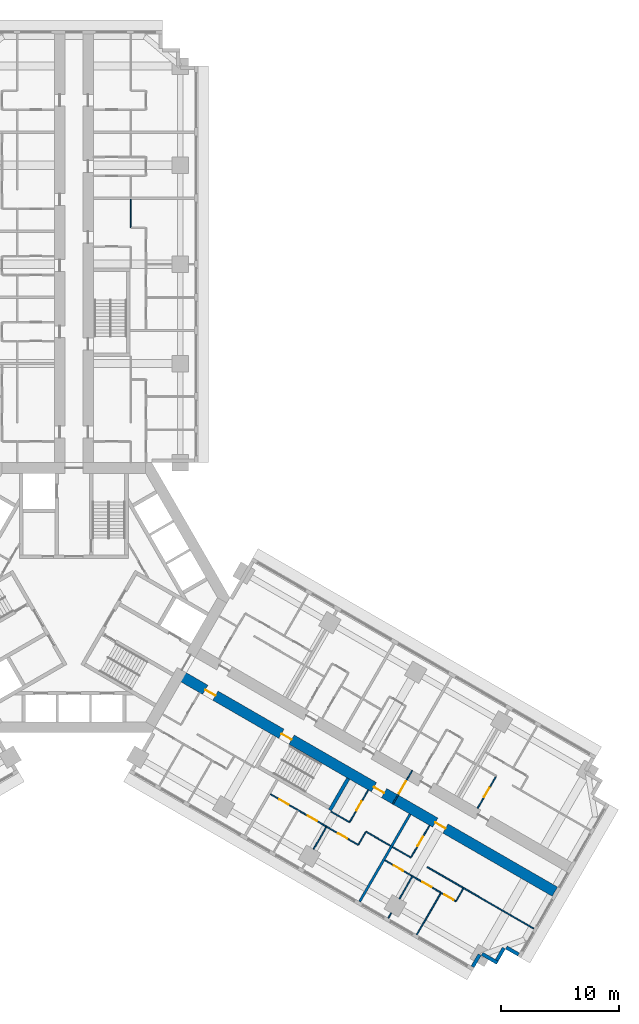
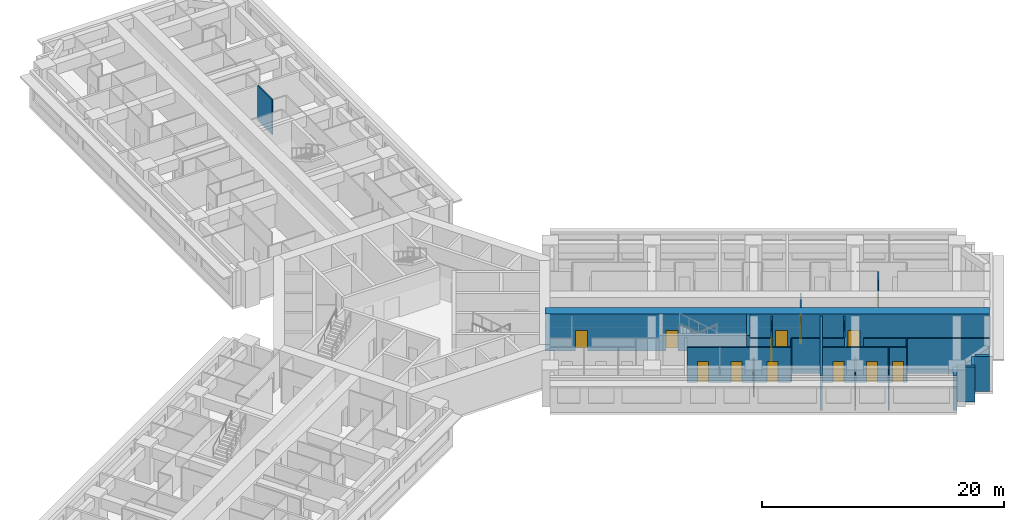
# One storey, part 11 of 16: 24 walls, 14 doors, 14 openings.
"""IFC4 building model written with IfcOpenShell, lengths in metres."""

from ifc_helpers import new_model, si_unit, direction, frame, frame_2d, origin, place, context, subcontext, project, spatial, rectangle, extrude, material, layer, layer_set, type_object, element, fill, save


model = new_model("IFC4")

# Units and contexts
model_context = context("Model", 3, precision=1e-05, world=origin(), true_north=direction((0.0, 1.0)))
body_context = subcontext(model_context, "Body", "Model", "MODEL_VIEW")
ifc_project = project(units=[si_unit("LENGTHUNIT", "METRE"), si_unit("AREAUNIT", "SQUARE_METRE"), si_unit("VOLUMEUNIT", "CUBIC_METRE"), si_unit("PLANEANGLEUNIT", "RADIAN"), si_unit("MASSUNIT", "GRAM", prefix="KILO")], contexts=[model_context])

# Site, building, storey
site_placement = place(None, origin())
site = spatial("IfcSite", under=ifc_project, at=site_placement, CompositionType="ELEMENT")
building_placement = place(site_placement, origin())
building = spatial("IfcBuilding", under=site, at=building_placement, Name="Impinga Residences", CompositionType="ELEMENT")
storey_placement = place(building_placement, frame((0.0, 0.0, 63.5)))
storey = spatial("IfcBuildingStorey", under=building, at=storey_placement, Name="L15", CompositionType="ELEMENT", Elevation=63.5)

# Wall, openings, doors
ifc_material_1 = material(Name="Concrete C70/85", Category="concrete")
ifc_layer_1 = layer(ifc_material_1, 0.89990234375)
ifc_layer_set_1 = layer_set([ifc_layer_1], Name="Concrete C70/85")
wall_type_1 = type_object("IfcWallType", Name="BW1 corridor buttress wall, L05 to L22 900", PredefinedType="SHEAR", material=ifc_layer_set_1)
wall_1_placement = place(storey_placement, frame((8.910400390625, -6.530029296875, 0.0), z_axis=(0.0, 0.0, 1.0), x_axis=(0.866025284237, -0.500000207062, 0.0)))
wall_1 = element("IfcWall", 1, at=wall_1_placement, inside=storey, type_object=wall_type_1, Name="Corridor wall BW1 ED L15", PredefinedType="SHEAR", context=body_context, shape_type="SweptSolid", body=[
    extrude(rectangle(XDim=36.75, YDim=0.89990234375, at=frame_2d((18.375, 0.0))), origin(), (0.0, 0.0, 1.0), 3.75),
])
opening_1_placement = place(wall_1_placement, frame((10.0, 0.0, 0.0)))
opening_1 = element("IfcOpeningElement", 2, at=opening_1_placement, cuts=wall_1, Name="Opening D5", PredefinedType="OPENING", context=body_context, shape_type="SweptSolid", body=[
    extrude(rectangle(XDim=1.0, YDim=2.10009765625, at=frame_2d((0.5, 1.050048828125))), frame((0.0, 0.4599609375, 0.0), z_axis=(0.0, -1.0, 0.0), x_axis=(1.0, 0.0, 0.0)), (0.0, 0.0, 1.0), 0.919921875),
])
opening_2_placement = place(wall_1_placement, frame((2.550048828125, 0.0, 0.0)))
opening_2 = element("IfcOpeningElement", 3, at=opening_2_placement, cuts=wall_1, Name="Opening D1", PredefinedType="OPENING", context=body_context, shape_type="SweptSolid", body=[
    extrude(rectangle(XDim=1.0, YDim=2.10009765625, at=frame_2d((0.5, 1.050048828125))), frame((0.0, 0.4599609375, 0.0), z_axis=(0.0, -1.0, 0.0), x_axis=(1.0, 0.0, 0.0)), (0.0, 0.0, 1.0), 0.919921875),
])
opening_3_placement = place(wall_1_placement, frame((19.050048828125, 0.0, 0.0)))
opening_3 = element("IfcOpeningElement", 4, at=opening_3_placement, cuts=wall_1, Name="Opening D1", PredefinedType="OPENING", context=body_context, shape_type="SweptSolid", body=[
    extrude(rectangle(XDim=1.0, YDim=2.10009765625, at=frame_2d((0.5, 1.050048828125))), frame((0.0, 0.4599609375, 0.0), z_axis=(0.0, -1.0, 0.0), x_axis=(1.0, 0.0, 0.0)), (0.0, 0.0, 1.0), 0.919921875),
])
opening_4_placement = place(wall_1_placement, frame((25.050048828125, 0.0, 0.0)))
opening_4 = element("IfcOpeningElement", 5, at=opening_4_placement, cuts=wall_1, Name="Opening D1", PredefinedType="OPENING", context=body_context, shape_type="SweptSolid", body=[
    extrude(rectangle(XDim=1.0, YDim=2.10009765625, at=frame_2d((0.5, 1.050048828125))), frame((0.0, 0.4599609375, 0.0), z_axis=(0.0, -1.0, 0.0), x_axis=(1.0, 0.0, 0.0)), (0.0, 0.0, 1.0), 0.919921875),
])
ifc_material_2 = material(Name="Timber door set", Category="wood")
door_type_1 = type_object("IfcDoorType", Name="D1 apartment entrance door 1000x2100", OperationType="SINGLE_SWING_LEFT", PredefinedType="DOOR", material=ifc_material_2)
door_1_placement = place(opening_2_placement, origin())
door_1 = element("IfcDoor", 6, at=door_1_placement, inside=storey, type_object=door_type_1, Name="Apartment L15-EF1 entrance", OperationType="SINGLE_SWING_LEFT", OverallHeight=2.10009765625, OverallWidth=1.0, PredefinedType="DOOR", context=body_context, shape_type="SweptSolid", body=[
    extrude(rectangle(XDim=1.0, YDim=2.10009765625, at=frame_2d((0.5, 1.050048828125))), frame((0.0, 0.02490234375, 0.0), z_axis=(0.0, -1.0, 0.0), x_axis=(1.0, 0.0, 0.0)), (0.0, 0.0, 1.0), 0.050048828125),
])
fill(opening_2, door_1)
door_2_placement = place(opening_3_placement, origin())
door_2 = element("IfcDoor", 7, at=door_2_placement, inside=storey, type_object=door_type_1, Name="Apartment L15-EF2 entrance", OperationType="SINGLE_SWING_RIGHT", OverallHeight=2.10009765625, OverallWidth=1.0, PredefinedType="DOOR", context=body_context, shape_type="SweptSolid", body=[
    extrude(rectangle(XDim=1.0, YDim=2.10009765625, at=frame_2d((0.5, 1.050048828125))), frame((0.0, 0.02490234375, 0.0), z_axis=(0.0, -1.0, 0.0), x_axis=(1.0, 0.0, 0.0)), (0.0, 0.0, 1.0), 0.050048828125),
])
fill(opening_3, door_2)
door_3_placement = place(opening_4_placement, origin())
door_3 = element("IfcDoor", 8, at=door_3_placement, inside=storey, type_object=door_type_1, Name="Apartment L15-EF3 entrance", OperationType="SINGLE_SWING_RIGHT", OverallHeight=2.10009765625, OverallWidth=1.0, PredefinedType="DOOR", context=body_context, shape_type="SweptSolid", body=[
    extrude(rectangle(XDim=1.0, YDim=2.10009765625, at=frame_2d((0.5, 1.050048828125))), frame((0.0, 0.02490234375, 0.0), z_axis=(0.0, -1.0, 0.0), x_axis=(1.0, 0.0, 0.0)), (0.0, 0.0, 1.0), 0.050048828125),
])
fill(opening_4, door_3)
door_type_2 = type_object("IfcDoorType", Name="D5 stair door 1000x2100", OperationType="SINGLE_SWING_LEFT", PredefinedType="DOOR", material=ifc_material_2)
door_4_placement = place(opening_1_placement, origin())
door_4 = element("IfcDoor", 9, at=door_4_placement, inside=storey, type_object=door_type_2, Name="Wing stair door E", OperationType="SINGLE_SWING_LEFT", OverallHeight=2.10009765625, OverallWidth=1.0, PredefinedType="DOOR", context=body_context, shape_type="SweptSolid", body=[
    extrude(rectangle(XDim=1.0, YDim=2.10009765625, at=frame_2d((0.5, 1.050048828125))), frame((0.0, 0.02490234375, 0.0), z_axis=(0.0, -1.0, 0.0), x_axis=(1.0, 0.0, 0.0)), (0.0, 0.0, 1.0), 0.050048828125),
])
fill(opening_1, door_4)

# Wall, opening, door
ifc_material_3 = material(Name="Concrete blockwork", Category="masonry")
ifc_layer_2 = layer(ifc_material_3, 0.10009765625)
ifc_layer_set_2 = layer_set([ifc_layer_2], Name="CP1 core room partition, blockwork 100")
wall_type_2 = type_object("IfcWallType", Name="CP1 core room partition, blockwork 100", PredefinedType="PARTITIONING", material=ifc_layer_set_2)
wall_2_placement = place(storey_placement, frame((28.652099609375, -14.636962890625, 0.0), z_axis=(0.0, 0.0, 1.0), x_axis=(-0.499974350878, -0.866040211805, 0.0)))
wall_2 = element("IfcWall", 10, at=wall_2_placement, inside=storey, type_object=wall_type_2, Name="Core room partition, blockwork L15:E:SCR", PredefinedType="PARTITIONING", context=body_context, shape_type="SweptSolid", body=[
    extrude(rectangle(XDim=3.300048828125, YDim=0.10009765625, at=frame_2d((1.64990234375, 0.0))), origin(), (0.0, 0.0, 1.0), 3.530029296875),
])
opening_5_placement = place(wall_2_placement, frame((1.050048828125, 0.0, 0.0)))
opening_5 = element("IfcOpeningElement", 11, at=opening_5_placement, cuts=wall_2, Name="Opening D3", PredefinedType="OPENING", context=body_context, shape_type="SweptSolid", body=[
    extrude(rectangle(XDim=1.199951171875, YDim=2.10009765625, at=frame_2d((0.60009765625, 1.050048828125))), frame((0.0, 0.06005859375, 0.0), z_axis=(0.0, -1.0, 0.0), x_axis=(1.0, 0.0, 0.0)), (0.0, 0.0, 1.0), 0.1201171875),
])
door_type_3 = type_object("IfcDoorType", Name="D3 room door, leaf and a half 1200x2100", OperationType="DOUBLE_SWING_LEFT", PredefinedType="DOOR", material=ifc_material_2)
door_5_placement = place(opening_5_placement, origin())
door_5 = element("IfcDoor", 12, at=door_5_placement, inside=storey, type_object=door_type_3, Name="Corridor smoke door E", OperationType="DOUBLE_SWING_LEFT", OverallHeight=2.10009765625, OverallWidth=1.199951171875, PredefinedType="DOOR", context=body_context, shape_type="SweptSolid", body=[
    extrude(rectangle(XDim=1.199951171875, YDim=2.10009765625, at=frame_2d((0.60009765625, 1.050048828125))), frame((0.0, 0.02490234375, 0.0), z_axis=(0.0, -1.0, 0.0), x_axis=(1.0, 0.0, 0.0)), (0.0, 0.0, 1.0), 0.050048828125),
])
fill(opening_5, door_5)

# Walls
ifc_material_4 = material(Name="Terracotta rainscreen on blockwork", Category="masonry")
ifc_layer_3 = layer(ifc_material_4, 0.300048828125)
ifc_layer_set_3 = layer_set([ifc_layer_3], Name="EW1 external wall, terracotta rainscreen on blockwork 300")
wall_type_3 = type_object("IfcWallType", Name="EW1 external wall, terracotta rainscreen on blockwork 300", PredefinedType="SOLIDWALL", material=ifc_layer_set_3)
wall_3_placement = place(storey_placement, frame((37.66162109375, -30.23095703125, 0.0), z_axis=(0.0, 0.0, 1.0), x_axis=(-0.866059708757, 0.499940577336, 0.0)))
element("IfcWall", 13, at=wall_3_placement, inside=storey, type_object=wall_type_3, Name="External wall EW1 L15", PredefinedType="SOLIDWALL", context=body_context, shape_type="SweptSolid", body=[
    extrude(rectangle(XDim=1.195068359375, YDim=0.300048828125, at=frame_2d((0.59765625, 0.0))), origin(), (0.0, 0.0, 1.0), 3.530029296875),
])
wall_4_placement = place(storey_placement, frame((36.41748046875, -29.68603515625, 0.0), z_axis=(0.0, 0.0, 1.0), x_axis=(-0.499969057507, -0.866043267704, 0.0)))
element("IfcWall", 14, at=wall_4_placement, inside=storey, type_object=wall_type_3, Name="External wall EW1 L15", PredefinedType="SOLIDWALL", context=body_context, shape_type="SweptSolid", body=[
    extrude(rectangle(XDim=1.19970703125, YDim=0.300048828125, at=frame_2d((0.599853515625, 0.0))), origin(), (0.0, 0.0, 1.0), 3.530029296875),
])
wall_5_placement = place(storey_placement, frame((35.87255859375, -30.93017578125, 0.0), z_axis=(0.0, 0.0, 1.0), x_axis=(-0.866031096941, 0.499990139034, 0.0)))
element("IfcWall", 15, at=wall_5_placement, inside=storey, type_object=wall_type_3, Name="External wall EW1 L15", PredefinedType="SOLIDWALL", context=body_context, shape_type="SweptSolid", body=[
    extrude(rectangle(XDim=1.5, YDim=0.300048828125, at=frame_2d((0.75, 0.0))), origin(), (0.0, 0.0, 1.0), 3.530029296875),
])
wall_6_placement = place(storey_placement, frame((34.365966796875, -30.2392578125, 0.0), z_axis=(0.0, 0.0, 1.0), x_axis=(-0.499940577336, -0.866059708757, 0.0)))
element("IfcWall", 16, at=wall_6_placement, inside=storey, type_object=wall_type_3, Name="External wall EW1 L15", PredefinedType="SOLIDWALL", context=body_context, shape_type="SweptSolid", body=[
    extrude(rectangle(XDim=1.195068359375, YDim=0.300048828125, at=frame_2d((0.59765625, 0.0))), origin(), (0.0, 0.0, 1.0), 3.530029296875),
])
ifc_material_5 = material(Name="Gypsum board on steel studs", Category="steel")
ifc_layer_4 = layer(ifc_material_5, 0.10009765625)
ifc_layer_set_4 = layer_set([ifc_layer_4], Name="Gypsum board on steel studs")
wall_type_4 = type_object("IfcWallType", Name="IP1 partition 100", PredefinedType="PARTITIONING", material=ifc_layer_set_4)
wall_7_placement = place(storey_placement, frame((4.800048828125, 31.33154296875, 0.0), z_axis=(0.0, 0.0, 1.0), x_axis=(0.0, 1.0, 0.0)))
element("IfcWall", 17, at=wall_7_placement, inside=storey, type_object=wall_type_4, Name="Partition L15-NF2:DIV1", PredefinedType="PARTITIONING", context=body_context, shape_type="SweptSolid", body=[
    extrude(rectangle(XDim=2.39990234375, YDim=0.10009765625, at=frame_2d((1.199951171875, 0.0))), origin(), (0.0, 0.0, 1.0), 3.530029296875),
])

# Wall, opening, door
wall_8_placement = place(storey_placement, frame((34.1943359375, -17.8369140625, 0.0), z_axis=(0.0, 0.0, 1.0), x_axis=(0.49999285859, 0.86602952684, 0.0)))
wall_8 = element("IfcWall", 18, at=wall_8_placement, inside=storey, type_object=wall_type_4, Name="Partition L15-EA5:IB1", PredefinedType="PARTITIONING", context=body_context, shape_type="SweptSolid", body=[
    extrude(rectangle(XDim=3.10009765625, YDim=0.10009765625, at=frame_2d((1.550048828125, 0.0))), origin(), (0.0, 0.0, 1.0), 3.530029296875),
])
opening_6_placement = place(wall_8_placement, frame((1.10009765625, 0.0, 0.0)))
opening_6 = element("IfcOpeningElement", 19, at=opening_6_placement, cuts=wall_8, Name="Opening D2", PredefinedType="OPENING", context=body_context, shape_type="SweptSolid", body=[
    extrude(rectangle(XDim=0.89990234375, YDim=2.10009765625, at=frame_2d((0.449951171875, 1.050048828125))), frame((0.0, 0.06005859375, 0.0), z_axis=(0.0, -1.0, 0.0), x_axis=(1.0, 0.0, 0.0)), (0.0, 0.0, 1.0), 0.1201171875),
])
door_type_4 = type_object("IfcDoorType", Name="D2 internal door 900x2100", OperationType="SINGLE_SWING_LEFT", PredefinedType="DOOR", material=ifc_material_2)
door_6_placement = place(opening_6_placement, origin())
door_6 = element("IfcDoor", 20, at=door_6_placement, inside=storey, type_object=door_type_4, Name="Apartment L15-EA5 bathroom door", OperationType="SINGLE_SWING_LEFT", OverallHeight=2.10009765625, OverallWidth=0.89990234375, PredefinedType="DOOR", context=body_context, shape_type="SweptSolid", body=[
    extrude(rectangle(XDim=0.89990234375, YDim=2.10009765625, at=frame_2d((0.449951171875, 1.050048828125))), frame((0.0, 0.02490234375, 0.0), z_axis=(0.0, -1.0, 0.0), x_axis=(1.0, 0.0, 0.0)), (0.0, 0.0, 1.0), 0.050048828125),
])
fill(opening_6, door_6)

# Walls
wall_9_placement = place(storey_placement, frame((21.789306640625, -18.122802734375, 0.0), z_axis=(0.0, 0.0, 1.0), x_axis=(0.866047807691, -0.499961193289, 0.0)))
element("IfcWall", 21, at=wall_9_placement, inside=storey, type_object=wall_type_4, Name="Partition L15-EF2:DIV0", PredefinedType="PARTITIONING", context=body_context, shape_type="SweptSolid", body=[
    extrude(rectangle(XDim=1.800048828125, YDim=0.10009765625, at=frame_2d((0.89990234375, 0.0))), origin(), (0.0, 0.0, 1.0), 3.530029296875),
])
wall_10_placement = place(storey_placement, frame((24.73388671875, -19.82275390625, 0.0), z_axis=(0.0, 0.0, 1.0), x_axis=(0.866024647952, -0.500001309137, 0.0)))
element("IfcWall", 22, at=wall_10_placement, inside=storey, type_object=wall_type_4, Name="Partition L15-EF2:DIV1", PredefinedType="PARTITIONING", context=body_context, shape_type="SweptSolid", body=[
    extrude(rectangle(XDim=2.39990234375, YDim=0.10009765625, at=frame_2d((1.199951171875, 0.0))), origin(), (0.0, 0.0, 1.0), 3.530029296875),
])

# Wall, openings, doors
wall_11_placement = place(storey_placement, frame((16.635986328125, -16.6484375, 0.0), z_axis=(0.0, 0.0, 1.0), x_axis=(0.866028165386, -0.499995216735, 0.0)))
wall_11 = element("IfcWall", 23, at=wall_11_placement, inside=storey, type_object=wall_type_4, Name="Partition L15-EF2:STRIP", PredefinedType="PARTITIONING", context=body_context, shape_type="SweptSolid", body=[
    extrude(rectangle(XDim=8.60009765625, YDim=0.10009765625, at=frame_2d((4.300048828125, 0.0))), origin(), (0.0, 0.0, 1.0), 3.530029296875),
])
opening_7_placement = place(wall_11_placement, frame((0.875, 0.0, 0.0)))
opening_7 = element("IfcOpeningElement", 24, at=opening_7_placement, cuts=wall_11, Name="Opening D2", PredefinedType="OPENING", context=body_context, shape_type="SweptSolid", body=[
    extrude(rectangle(XDim=0.89990234375, YDim=2.10009765625, at=frame_2d((0.449951171875, 1.050048828125))), frame((0.0, 0.06005859375, 0.0), z_axis=(0.0, -1.0, 0.0), x_axis=(1.0, 0.0, 0.0)), (0.0, 0.0, 1.0), 0.1201171875),
])
opening_8_placement = place(wall_11_placement, frame((3.64990234375, 0.0, 0.0)))
opening_8 = element("IfcOpeningElement", 25, at=opening_8_placement, cuts=wall_11, Name="Opening D2", PredefinedType="OPENING", context=body_context, shape_type="SweptSolid", body=[
    extrude(rectangle(XDim=0.89990234375, YDim=2.10009765625, at=frame_2d((0.449951171875, 1.050048828125))), frame((0.0, 0.06005859375, 0.0), z_axis=(0.0, -1.0, 0.0), x_axis=(1.0, 0.0, 0.0)), (0.0, 0.0, 1.0), 0.1201171875),
])
opening_9_placement = place(wall_11_placement, frame((6.625, 0.0, 0.0)))
opening_9 = element("IfcOpeningElement", 26, at=opening_9_placement, cuts=wall_11, Name="Opening D2", PredefinedType="OPENING", context=body_context, shape_type="SweptSolid", body=[
    extrude(rectangle(XDim=0.89990234375, YDim=2.10009765625, at=frame_2d((0.449951171875, 1.050048828125))), frame((0.0, 0.06005859375, 0.0), z_axis=(0.0, -1.0, 0.0), x_axis=(1.0, 0.0, 0.0)), (0.0, 0.0, 1.0), 0.1201171875),
])
door_7_placement = place(opening_7_placement, origin())
door_7 = element("IfcDoor", 27, at=door_7_placement, inside=storey, type_object=door_type_4, Name="Apartment L15-EF2 room door", OperationType="SINGLE_SWING_LEFT", OverallHeight=2.10009765625, OverallWidth=0.89990234375, PredefinedType="DOOR", context=body_context, shape_type="SweptSolid", body=[
    extrude(rectangle(XDim=0.89990234375, YDim=2.10009765625, at=frame_2d((0.449951171875, 1.050048828125))), frame((0.0, 0.02490234375, 0.0), z_axis=(0.0, -1.0, 0.0), x_axis=(1.0, 0.0, 0.0)), (0.0, 0.0, 1.0), 0.050048828125),
])
fill(opening_7, door_7)
door_8_placement = place(opening_8_placement, origin())
door_8 = element("IfcDoor", 28, at=door_8_placement, inside=storey, type_object=door_type_4, Name="Apartment L15-EF2 room door", OperationType="SINGLE_SWING_LEFT", OverallHeight=2.10009765625, OverallWidth=0.89990234375, PredefinedType="DOOR", context=body_context, shape_type="SweptSolid", body=[
    extrude(rectangle(XDim=0.89990234375, YDim=2.10009765625, at=frame_2d((0.449951171875, 1.050048828125))), frame((0.0, 0.02490234375, 0.0), z_axis=(0.0, -1.0, 0.0), x_axis=(1.0, 0.0, 0.0)), (0.0, 0.0, 1.0), 0.050048828125),
])
fill(opening_8, door_8)
door_9_placement = place(opening_9_placement, origin())
door_9 = element("IfcDoor", 29, at=door_9_placement, inside=storey, type_object=door_type_4, Name="Apartment L15-EF2 room door", OperationType="SINGLE_SWING_RIGHT", OverallHeight=2.10009765625, OverallWidth=0.89990234375, PredefinedType="DOOR", context=body_context, shape_type="SweptSolid", body=[
    extrude(rectangle(XDim=0.89990234375, YDim=2.10009765625, at=frame_2d((0.449951171875, 1.050048828125))), frame((0.0, 0.02490234375, 0.0), z_axis=(0.0, -1.0, 0.0), x_axis=(1.0, 0.0, 0.0)), (0.0, 0.0, 1.0), 0.050048828125),
])
fill(opening_9, door_9)

# Wall
wall_12_placement = place(storey_placement, frame((24.708984375, -19.865966796875, 0.0), z_axis=(0.0, 0.0, 1.0), x_axis=(-0.500033551112, -0.866006032174, 0.0)))
element("IfcWall", 30, at=wall_12_placement, inside=storey, type_object=wall_type_4, Name="Partition L15-EF2:SE1", PredefinedType="PARTITIONING", context=body_context, shape_type="SweptSolid", body=[
    extrude(rectangle(XDim=1.2001953125, YDim=0.10009765625, at=frame_2d((0.60009765625, 0.0))), origin(), (0.0, 0.0, 1.0), 3.530029296875),
])

# Wall, opening, door
wall_13_placement = place(storey_placement, frame((24.92333984375, -16.294677734375, 0.0), z_axis=(0.0, 0.0, 1.0), x_axis=(-0.49999285859, -0.86602952684, 0.0)))
wall_13 = element("IfcWall", 31, at=wall_13_placement, inside=storey, type_object=wall_type_4, Name="Partition L15-EF2:IB1", PredefinedType="PARTITIONING", context=body_context, shape_type="SweptSolid", body=[
    extrude(rectangle(XDim=3.10009765625, YDim=0.10009765625, at=frame_2d((1.550048828125, 0.0))), origin(), (0.0, 0.0, 1.0), 3.530029296875),
])
opening_10_placement = place(wall_13_placement, frame((1.10009765625, 0.0, 0.0)))
opening_10 = element("IfcOpeningElement", 32, at=opening_10_placement, cuts=wall_13, Name="Opening D2", PredefinedType="OPENING", context=body_context, shape_type="SweptSolid", body=[
    extrude(rectangle(XDim=0.89990234375, YDim=2.10009765625, at=frame_2d((0.449951171875, 1.050048828125))), frame((0.0, 0.06005859375, 0.0), z_axis=(0.0, -1.0, 0.0), x_axis=(1.0, 0.0, 0.0)), (0.0, 0.0, 1.0), 0.1201171875),
])
door_10_placement = place(opening_10_placement, origin())
door_10 = element("IfcDoor", 33, at=door_10_placement, inside=storey, type_object=door_type_4, Name="Apartment L15-EF2 bathroom door", OperationType="SINGLE_SWING_LEFT", OverallHeight=2.10009765625, OverallWidth=0.89990234375, PredefinedType="DOOR", context=body_context, shape_type="SweptSolid", body=[
    extrude(rectangle(XDim=0.89990234375, YDim=2.10009765625, at=frame_2d((0.449951171875, 1.050048828125))), frame((0.0, 0.02490234375, 0.0), z_axis=(0.0, -1.0, 0.0), x_axis=(1.0, 0.0, 0.0)), (0.0, 0.0, 1.0), 0.050048828125),
])
fill(opening_10, door_10)

# Walls
wall_14_placement = place(storey_placement, frame((21.374267578125, -19.44189453125, 0.0), z_axis=(0.0, 0.0, 1.0), x_axis=(-0.500010803666, -0.866019166195, 0.0)))
element("IfcWall", 34, at=wall_14_placement, inside=storey, type_object=wall_type_4, Name="Partition L15-EF2:OB2", PredefinedType="PARTITIONING", context=body_context, shape_type="SweptSolid", body=[
    extrude(rectangle(XDim=2.14990234375, YDim=0.10009765625, at=frame_2d((1.074951171875, 0.0))), origin(), (0.0, 0.0, 1.0), 2.47998046875),
])
wall_15_placement = place(storey_placement, frame((26.985595703125, -21.122802734375, 0.0), z_axis=(0.0, 0.0, 1.0), x_axis=(0.866047807691, -0.499961193289, 0.0)))
element("IfcWall", 35, at=wall_15_placement, inside=storey, type_object=wall_type_4, Name="Partition L15-EF3:DIV0", PredefinedType="PARTITIONING", context=body_context, shape_type="SweptSolid", body=[
    extrude(rectangle(XDim=1.800048828125, YDim=0.10009765625, at=frame_2d((0.89990234375, 0.0))), origin(), (0.0, 0.0, 1.0), 3.530029296875),
])
wall_16_placement = place(storey_placement, frame((29.93017578125, -22.82275390625, 0.0), z_axis=(0.0, 0.0, 1.0), x_axis=(0.866025696342, -0.499999493275, 0.0)))
element("IfcWall", 36, at=wall_16_placement, inside=storey, type_object=wall_type_4, Name="Partition L15-EF3:DIV1", PredefinedType="PARTITIONING", context=body_context, shape_type="SweptSolid", body=[
    extrude(rectangle(XDim=10.39990234375, YDim=0.10009765625, at=frame_2d((5.199951171875, 0.0))), origin(), (0.0, 0.0, 1.0), 3.530029296875),
])

# Wall, openings, doors
wall_17_placement = place(storey_placement, frame((26.335693359375, -22.24853515625, 0.0), z_axis=(0.0, 0.0, 1.0), x_axis=(0.866016523273, -0.500015381182, 0.0)))
wall_17 = element("IfcWall", 37, at=wall_17_placement, inside=storey, type_object=wall_type_4, Name="Partition L15-EF3:STRIP", PredefinedType="PARTITIONING", context=body_context, shape_type="SweptSolid", body=[
    extrude(rectangle(XDim=6.949951171875, YDim=0.10009765625, at=frame_2d((3.47509765625, 0.0))), origin(), (0.0, 0.0, 1.0), 3.530029296875),
])
opening_11_placement = place(wall_17_placement, frame((0.875, 0.0, 0.0)))
opening_11 = element("IfcOpeningElement", 38, at=opening_11_placement, cuts=wall_17, Name="Opening D2", PredefinedType="OPENING", context=body_context, shape_type="SweptSolid", body=[
    extrude(rectangle(XDim=0.89990234375, YDim=2.10009765625, at=frame_2d((0.449951171875, 1.050048828125))), frame((0.0, 0.06005859375, 0.0), z_axis=(0.0, -1.0, 0.0), x_axis=(1.0, 0.0, 0.0)), (0.0, 0.0, 1.0), 0.1201171875),
])
opening_12_placement = place(wall_17_placement, frame((3.64990234375, 0.0, 0.0)))
opening_12 = element("IfcOpeningElement", 39, at=opening_12_placement, cuts=wall_17, Name="Opening D2", PredefinedType="OPENING", context=body_context, shape_type="SweptSolid", body=[
    extrude(rectangle(XDim=0.89990234375, YDim=2.10009765625, at=frame_2d((0.449951171875, 1.050048828125))), frame((0.0, 0.06005859375, 0.0), z_axis=(0.0, -1.0, 0.0), x_axis=(1.0, 0.0, 0.0)), (0.0, 0.0, 1.0), 0.1201171875),
])
opening_13_placement = place(wall_17_placement, frame((5.800048828125, 0.0, 0.0)))
opening_13 = element("IfcOpeningElement", 40, at=opening_13_placement, cuts=wall_17, Name="Opening D2", PredefinedType="OPENING", context=body_context, shape_type="SweptSolid", body=[
    extrude(rectangle(XDim=0.89990234375, YDim=2.10009765625, at=frame_2d((0.449951171875, 1.050048828125))), frame((0.0, 0.06005859375, 0.0), z_axis=(0.0, -1.0, 0.0), x_axis=(1.0, 0.0, 0.0)), (0.0, 0.0, 1.0), 0.1201171875),
])
door_11_placement = place(opening_11_placement, origin())
door_11 = element("IfcDoor", 41, at=door_11_placement, inside=storey, type_object=door_type_4, Name="Apartment L15-EF3 room door", OperationType="SINGLE_SWING_LEFT", OverallHeight=2.10009765625, OverallWidth=0.89990234375, PredefinedType="DOOR", context=body_context, shape_type="SweptSolid", body=[
    extrude(rectangle(XDim=0.89990234375, YDim=2.10009765625, at=frame_2d((0.449951171875, 1.050048828125))), frame((0.0, 0.02490234375, 0.0), z_axis=(0.0, -1.0, 0.0), x_axis=(1.0, 0.0, 0.0)), (0.0, 0.0, 1.0), 0.050048828125),
])
fill(opening_11, door_11)
door_12_placement = place(opening_12_placement, origin())
door_12 = element("IfcDoor", 42, at=door_12_placement, inside=storey, type_object=door_type_4, Name="Apartment L15-EF3 room door", OperationType="SINGLE_SWING_RIGHT", OverallHeight=2.10009765625, OverallWidth=0.89990234375, PredefinedType="DOOR", context=body_context, shape_type="SweptSolid", body=[
    extrude(rectangle(XDim=0.89990234375, YDim=2.10009765625, at=frame_2d((0.449951171875, 1.050048828125))), frame((0.0, 0.02490234375, 0.0), z_axis=(0.0, -1.0, 0.0), x_axis=(1.0, 0.0, 0.0)), (0.0, 0.0, 1.0), 0.050048828125),
])
fill(opening_12, door_12)
door_13_placement = place(opening_13_placement, origin())
door_13 = element("IfcDoor", 43, at=door_13_placement, inside=storey, type_object=door_type_4, Name="Apartment L15-EF3 room door", OperationType="SINGLE_SWING_RIGHT", OverallHeight=2.10009765625, OverallWidth=0.89990234375, PredefinedType="DOOR", context=body_context, shape_type="SweptSolid", body=[
    extrude(rectangle(XDim=0.89990234375, YDim=2.10009765625, at=frame_2d((0.449951171875, 1.050048828125))), frame((0.0, 0.02490234375, 0.0), z_axis=(0.0, -1.0, 0.0), x_axis=(1.0, 0.0, 0.0)), (0.0, 0.0, 1.0), 0.050048828125),
])
fill(opening_13, door_13)

# Wall
wall_18_placement = place(storey_placement, frame((32.9794921875, -24.640869140625, 0.0), z_axis=(0.0, 0.0, 1.0), x_axis=(-0.500033551112, -0.866006032174, 0.0)))
element("IfcWall", 44, at=wall_18_placement, inside=storey, type_object=wall_type_4, Name="Partition L15-EF3:SE1", PredefinedType="PARTITIONING", context=body_context, shape_type="SweptSolid", body=[
    extrude(rectangle(XDim=1.2001953125, YDim=0.10009765625, at=frame_2d((0.60009765625, 0.0))), origin(), (0.0, 0.0, 1.0), 3.530029296875),
])

# Wall, opening, door
wall_19_placement = place(storey_placement, frame((30.119384765625, -19.294677734375, 0.0), z_axis=(0.0, 0.0, 1.0), x_axis=(-0.49999285859, -0.86602952684, 0.0)))
wall_19 = element("IfcWall", 45, at=wall_19_placement, inside=storey, type_object=wall_type_4, Name="Partition L15-EF3:IB1", PredefinedType="PARTITIONING", context=body_context, shape_type="SweptSolid", body=[
    extrude(rectangle(XDim=3.10009765625, YDim=0.10009765625, at=frame_2d((1.550048828125, 0.0))), origin(), (0.0, 0.0, 1.0), 3.530029296875),
])
opening_14_placement = place(wall_19_placement, frame((1.10009765625, 0.0, 0.0)))
opening_14 = element("IfcOpeningElement", 46, at=opening_14_placement, cuts=wall_19, Name="Opening D2", PredefinedType="OPENING", context=body_context, shape_type="SweptSolid", body=[
    extrude(rectangle(XDim=0.89990234375, YDim=2.10009765625, at=frame_2d((0.449951171875, 1.050048828125))), frame((0.0, 0.06005859375, 0.0), z_axis=(0.0, -1.0, 0.0), x_axis=(1.0, 0.0, 0.0)), (0.0, 0.0, 1.0), 0.1201171875),
])
door_14_placement = place(opening_14_placement, origin())
door_14 = element("IfcDoor", 47, at=door_14_placement, inside=storey, type_object=door_type_4, Name="Apartment L15-EF3 bathroom door", OperationType="SINGLE_SWING_LEFT", OverallHeight=2.10009765625, OverallWidth=0.89990234375, PredefinedType="DOOR", context=body_context, shape_type="SweptSolid", body=[
    extrude(rectangle(XDim=0.89990234375, YDim=2.10009765625, at=frame_2d((0.449951171875, 1.050048828125))), frame((0.0, 0.02490234375, 0.0), z_axis=(0.0, -1.0, 0.0), x_axis=(1.0, 0.0, 0.0)), (0.0, 0.0, 1.0), 0.050048828125),
])
fill(opening_14, door_14)

# Walls
wall_20_placement = place(storey_placement, frame((28.64892578125, -23.641845703125, 0.0), z_axis=(0.0, 0.0, 1.0), x_axis=(-0.500095966228, -0.865969990567, 0.0)))
element("IfcWall", 48, at=wall_20_placement, inside=storey, type_object=wall_type_4, Name="Partition L15-EF3:OB1", PredefinedType="PARTITIONING", context=body_context, shape_type="SweptSolid", body=[
    extrude(rectangle(XDim=2.14990234375, YDim=0.10009765625, at=frame_2d((1.074951171875, 0.0))), origin(), (0.0, 0.0, 1.0), 2.47998046875),
])
wall_21_placement = place(storey_placement, frame((26.873779296875, -26.71630859375, 0.0), z_axis=(0.0, 0.0, 1.0), x_axis=(-0.500131122175, -0.865949687125, 0.0)))
element("IfcWall", 49, at=wall_21_placement, inside=storey, type_object=wall_type_4, Name="Partition L15-EF3:OB1b", PredefinedType="PARTITIONING", context=body_context, shape_type="SweptSolid", body=[
    extrude(rectangle(XDim=0.499755859375, YDim=0.10009765625, at=frame_2d((0.25, 0.0))), origin(), (0.0, 0.0, 1.0), 3.530029296875),
])
wall_22_placement = place(storey_placement, frame((31.07373046875, -25.041748046875, 0.0), z_axis=(0.0, 0.0, 1.0), x_axis=(-0.499964223975, -0.866046058097, 0.0)))
element("IfcWall", 50, at=wall_22_placement, inside=storey, type_object=wall_type_4, Name="Partition L15-EF3:OB2", PredefinedType="PARTITIONING", context=body_context, shape_type="SweptSolid", body=[
    extrude(rectangle(XDim=4.050048828125, YDim=0.10009765625, at=frame_2d((2.02490234375, 0.0))), origin(), (0.0, 0.0, 1.0), 3.530029296875),
])
ifc_layer_5 = layer(ifc_material_3, 0.199951171875)
ifc_layer_set_5 = layer_set([ifc_layer_5], Name="PW1 party wall between apartments 200")
wall_type_5 = type_object("IfcWallType", Name="PW1 party wall between apartments 200", PredefinedType="SOLIDWALL", material=ifc_layer_set_5)
wall_23_placement = place(storey_placement, frame((28.473876953125, -18.3447265625, 0.0), z_axis=(0.0, 0.0, 1.0), x_axis=(-0.499990227581, -0.86603104582, 0.0)))
element("IfcWall", 51, at=wall_23_placement, inside=storey, type_object=wall_type_5, Name="Party wall between apartments L15-EF2:PARTY", PredefinedType="SOLIDWALL", context=body_context, shape_type="SweptSolid", body=[
    extrude(rectangle(XDim=8.550048828125, YDim=0.199951171875, at=frame_2d((4.27490234375, 0.0))), origin(), (0.0, 0.0, 1.0), 3.530029296875),
])
ifc_material_6 = material(Name="Concrete C60/75", Category="concrete")
ifc_layer_6 = layer(ifc_material_6, 0.300048828125)
ifc_layer_set_6 = layer_set([ifc_layer_6], Name="Concrete C60/75")
wall_type_6 = type_object("IfcWallType", Name="SE1 wing stair enclosure wall 300", PredefinedType="SOLIDWALL", material=ifc_layer_set_6)
wall_24_placement = place(storey_placement, frame((23.234619140625, -15.31982421875, 0.0), z_axis=(0.0, 0.0, 1.0), x_axis=(-0.500026960575, -0.86600983753, 0.0)))
element("IfcWall", 52, at=wall_24_placement, inside=storey, type_object=wall_type_6, Name="Stair enclosure wall SE1 E END1 L15", PredefinedType="SOLIDWALL", context=body_context, shape_type="SweptSolid", body=[
    extrude(rectangle(XDim=3.099853515625, YDim=0.300048828125, at=frame_2d((1.5498046875, 0.0))), origin(), (0.0, 0.0, 1.0), 3.75),
])

save(model, "model.ifc")
